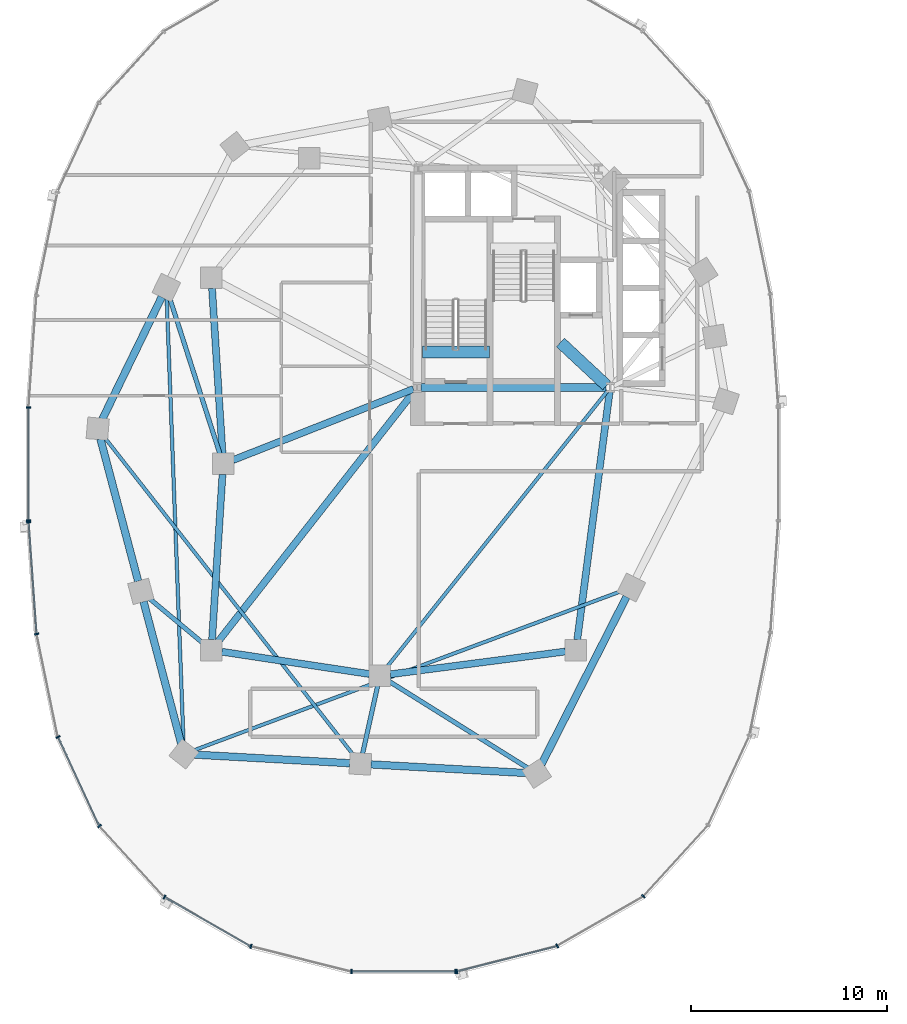
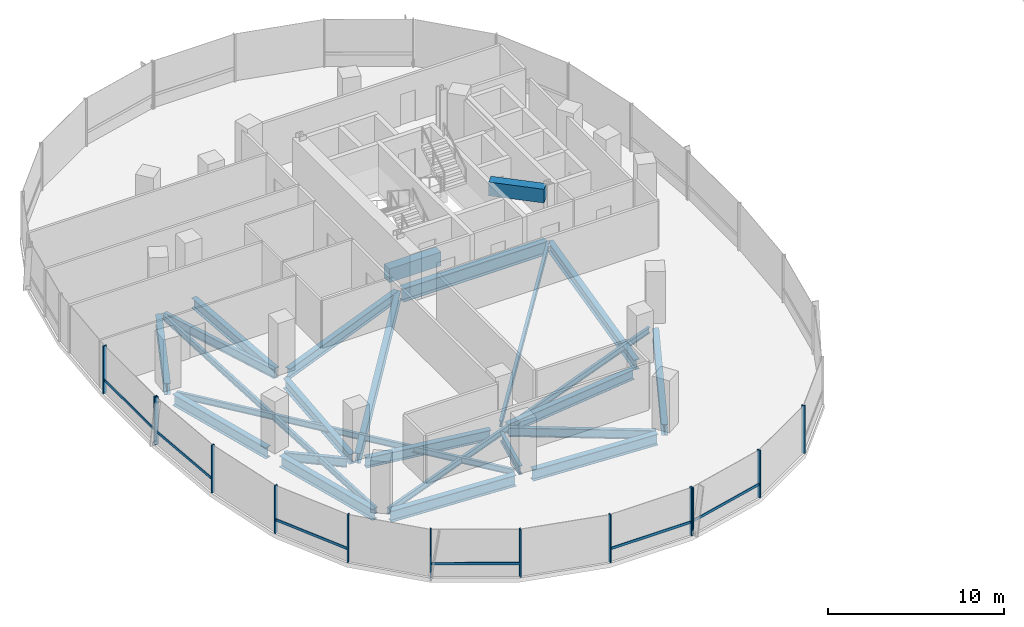
# One storey, part 2 of 21: 24 beams, 19 members, 3 elements without a shape of their own.
"""IFC4 building model written with IfcOpenShell, lengths in metres."""

from ifc_helpers import new_model, si_unit, direction, frame, origin, origin_2d, place, context, subcontext, project, spatial, rectangle, i_section, extrude, material, material_profile, profile_set, type_object, element, aggregate, save


model = new_model("IFC4")

# Units and contexts
model_context = context("Model", 3, precision=1e-05, world=origin(), true_north=direction((0.0, 1.0)))
body_context = subcontext(model_context, "Body", "Model", "MODEL_VIEW")
ifc_project = project(units=[si_unit("LENGTHUNIT", "METRE"), si_unit("AREAUNIT", "SQUARE_METRE"), si_unit("VOLUMEUNIT", "CUBIC_METRE"), si_unit("PLANEANGLEUNIT", "RADIAN"), si_unit("MASSUNIT", "GRAM", prefix="KILO"), si_unit("THERMODYNAMICTEMPERATUREUNIT", "KELVIN"), si_unit("POWERUNIT", "WATT")], contexts=[model_context])

# Site, building, storey
site_placement = place(None, origin())
site = spatial("IfcSite", under=ifc_project, at=site_placement, CompositionType="ELEMENT")
building_placement = place(site_placement, origin())
building = spatial("IfcBuilding", under=site, at=building_placement, Name="Cundina Bronze Exchange", CompositionType="ELEMENT")
storey_placement = place(building_placement, frame((0.0, 0.0, 89.0)))
storey = spatial("IfcBuildingStorey", under=building, at=storey_placement, Name="L22", CompositionType="ELEMENT", Elevation=89.0)

# Beams
ifc_material_1 = material(Name="Concrete C60/75", Category="concrete")
ifc_material_profile_1 = material_profile(ifc_material_1, rectangle(XDim=0.60009765625, YDim=0.949951171875, at=origin_2d()), Name="RC600X950", Category="concrete")
ifc_profile_set_1 = profile_set([ifc_material_profile_1], Name="Concrete C60/75")
beam_type_1 = type_object("IfcBeamType", Name="BM-COUP-RC950", PredefinedType="LINTEL", material=ifc_profile_set_1)
beam_1_placement = place(storey_placement, frame((-31.02001953125, 5.719970703125, -0.47509765625), z_axis=(1.0, 0.0, 0.0), x_axis=(0.0, 1.0, 0.0)))
element("IfcBeam", 1, at=beam_1_placement, inside=storey, type_object=beam_type_1, Name="L22 Stair W1 Landing Header Beam", PredefinedType="LINTEL", context=body_context, shape_type="SweptSolid", body=[
    extrude(rectangle(XDim=0.60009765625, YDim=0.949951171875, at=origin_2d()), origin(), (0.0, 0.0, 1.0), 3.39990234375),
])
beam_2_placement = place(storey_placement, frame((-23.989990234375, 6.199951171875, 2.824951171875), z_axis=(0.731490439815, -0.681851696822, 0.0), x_axis=(0.681851696822, 0.731490439815, 0.0)))
element("IfcBeam", 2, at=beam_2_placement, inside=storey, type_object=beam_type_1, Name="L22 W Core Shear Coupling Lintel Beam", PredefinedType="LINTEL", context=body_context, shape_type="SweptSolid", body=[
    extrude(rectangle(XDim=0.60009765625, YDim=0.949951171875, at=origin_2d()), origin(), (0.0, 0.0, 1.0), 3.226318359375),
])
ifc_material_2 = material(Name="Steel ASTM A992 Grade 50", Category="steel")
ifc_material_profile_2 = material_profile(ifc_material_2, i_section(OverallWidth=0.22998046875, OverallDepth=0.616943359375, WebThickness=0.01318359375, FlangeThickness=0.022216796875, FilletRadius=0.013916015625, at=origin_2d()), Name="W24X94", Category="steel")
ifc_profile_set_2 = profile_set([ifc_material_profile_2], Name="Steel ASTM A992 Grade 50")
beam_type_2 = type_object("IfcBeamType", Name="BM-FLR-W24B", PredefinedType="BEAM", material=ifc_profile_set_2)
beam_3_placement = place(storey_placement, frame((-41.364990234375, 0.51220703125, -0.6083984375), z_axis=(-0.306710777581, 0.951802762612, 0.0), x_axis=(-0.951802762612, -0.306710777581, 0.0)))
element("IfcBeam", 3, at=beam_3_placement, inside=storey, type_object=beam_type_2, Name="L22 Leg W Radial Floor Beam 07", PredefinedType="BEAM", context=body_context, shape_type="SweptSolid", body=[
    extrude(i_section(OverallWidth=0.22998046875, OverallDepth=0.616943359375, WebThickness=0.01318359375, FlangeThickness=0.022216796875, FilletRadius=0.013916015625, at=origin_2d()), origin(), (0.0, 0.0, 1.0), 8.37939453125),
])
beam_4_placement = place(storey_placement, frame((-42.21337890625, -9.155517578125, -0.6083984375), z_axis=(-0.768243451945, 0.640157791911, 0.0), x_axis=(-0.640157791911, -0.768243451945, 0.0)))
element("IfcBeam", 4, at=beam_4_placement, inside=storey, type_object=beam_type_2, Name="L22 Leg W Radial Floor Beam 09", PredefinedType="BEAM", context=body_context, shape_type="SweptSolid", body=[
    extrude(i_section(OverallWidth=0.22998046875, OverallDepth=0.616943359375, WebThickness=0.01318359375, FlangeThickness=0.022216796875, FilletRadius=0.013916015625, at=origin_2d()), origin(), (0.0, 0.0, 1.0), 3.610107421875),
])
beam_5_placement = place(storey_placement, frame((-33.316650390625, -11.3251953125, -0.6083984375), z_axis=(-0.216930457819, -0.976187060184, 0.0), x_axis=(0.976187060184, -0.216930457819, 0.0)))
element("IfcBeam", 5, at=beam_5_placement, inside=storey, type_object=beam_type_2, Name="L22 Leg W Radial Floor Beam 11", PredefinedType="BEAM", context=body_context, shape_type="SweptSolid", body=[
    extrude(i_section(OverallWidth=0.22998046875, OverallDepth=0.616943359375, WebThickness=0.01318359375, FlangeThickness=0.022216796875, FilletRadius=0.013916015625, at=origin_2d()), origin(), (0.0, 0.0, 1.0), 3.533935546875),
])
beam_6_placement = place(storey_placement, frame((-32.743896484375, -11.085205078125, -0.6083984375), z_axis=(0.848003227047, -0.529991063055, 0.0), x_axis=(0.529991063055, 0.848003227047, 0.0)))
element("IfcBeam", 6, at=beam_6_placement, inside=storey, type_object=beam_type_2, Name="L22 Leg W Radial Floor Beam 12", PredefinedType="BEAM", context=body_context, shape_type="SweptSolid", body=[
    extrude(i_section(OverallWidth=0.22998046875, OverallDepth=0.616943359375, WebThickness=0.01318359375, FlangeThickness=0.022216796875, FilletRadius=0.013916015625, at=origin_2d()), origin(), (0.0, 0.0, 1.0), 8.358154296875),
])
ifc_material_profile_3 = material_profile(ifc_material_2, i_section(OverallWidth=0.178955078125, OverallDepth=0.409912109375, WebThickness=0.0087890625, FlangeThickness=0.014404296875, FilletRadius=0.010986328125, at=origin_2d()), Name="W16X45", Category="steel")
ifc_profile_set_3 = profile_set([ifc_material_profile_3], Name="Steel ASTM A992 Grade 50")
beam_type_3 = type_object("IfcBeamType", Name="BM-JST-W16", PredefinedType="JOIST", material=ifc_profile_set_3)
beam_7_placement = place(storey_placement, frame((-21.577392578125, 3.740478515625, -0.5048828125), z_axis=(-0.62436887964, -0.781129632095, 0.0), x_axis=(0.781129632095, -0.62436887964, 0.0)))
element("IfcBeam", 7, at=beam_7_placement, inside=storey, type_object=beam_type_3, Name="L22 W Interior Core-to-Ring Joist 2", PredefinedType="JOIST", context=body_context, shape_type="SweptSolid", body=[
    extrude(i_section(OverallWidth=0.178955078125, OverallDepth=0.409912109375, WebThickness=0.0087890625, FlangeThickness=0.014404296875, FilletRadius=0.010986328125, at=origin_2d()), origin(), (0.0, 0.0, 1.0), 18.076904296875),
])
beam_8_placement = place(storey_placement, frame((-44.07958984375, 8.46240234375, -0.5048828125), z_axis=(0.03778951385, -0.999285721224, 0.0), x_axis=(0.999285721224, 0.03778951385, 0.0)))
element("IfcBeam", 8, at=beam_8_placement, inside=storey, type_object=beam_type_3, Name="L22 Leg W Lobe Floor Joist 07-10", PredefinedType="JOIST", context=body_context, shape_type="SweptSolid", body=[
    extrude(i_section(OverallWidth=0.178955078125, OverallDepth=0.409912109375, WebThickness=0.0087890625, FlangeThickness=0.014404296875, FilletRadius=0.010986328125, at=origin_2d()), origin(), (0.0, 0.0, 1.0), 22.7412109375),
])
beam_9_placement = place(storey_placement, frame((-47.268310546875, 1.37646484375, -0.5048828125), z_axis=(0.616815348306, -0.787107887201, 0.0), x_axis=(0.787107887201, 0.616815348306, 0.0)))
element("IfcBeam", 9, at=beam_9_placement, inside=storey, type_object=beam_type_3, Name="L22 Leg W Lobe Floor Joist 08-11", PredefinedType="JOIST", context=body_context, shape_type="SweptSolid", body=[
    extrude(i_section(OverallWidth=0.178955078125, OverallDepth=0.409912109375, WebThickness=0.0087890625, FlangeThickness=0.014404296875, FilletRadius=0.010986328125, at=origin_2d()), origin(), (0.0, 0.0, 1.0), 20.64892578125),
])
beam_10_placement = place(storey_placement, frame((-42.69580078125, -14.6123046875, -0.5048828125), z_axis=(0.937127917421, 0.348986054721, 0.0), x_axis=(-0.348986054721, 0.937127917421, 0.0)))
element("IfcBeam", 10, at=beam_10_placement, inside=storey, type_object=beam_type_3, Name="L22 Leg W Lobe Floor Joist 10-13", PredefinedType="JOIST", context=body_context, shape_type="SweptSolid", body=[
    extrude(i_section(OverallWidth=0.178955078125, OverallDepth=0.409912109375, WebThickness=0.0087890625, FlangeThickness=0.014404296875, FilletRadius=0.010986328125, at=origin_2d()), origin(), (0.0, 0.0, 1.0), 23.2802734375),
])
ifc_material_profile_4 = material_profile(ifc_material_2, i_section(OverallWidth=0.35498046875, OverallDepth=0.695068359375, WebThickness=0.015380859375, FlangeThickness=0.02490234375, FilletRadius=0.01806640625, at=origin_2d()), Name="W27X146", Category="steel")
ifc_profile_set_4 = profile_set([ifc_material_profile_4], Name="Steel ASTM A992 Grade 50")
beam_type_4 = type_object("IfcBeamType", Name="BM-RING-W27", PredefinedType="USERDEFINED", material=ifc_profile_set_4)
for number, where, z_axis, x_axis, name in (
    (11, (-41.76611328125, 8.963134765625, -0.6474609375), (0.06303715519, -0.998011180832, 0.0), (0.998011180832, 0.06303715519, 0.0), "L22 W Inner Structural Ring Girder 03"),
    (12, (-41.23388671875, -0.536865234375, -0.6474609375), (-0.06303715519, -0.998011180832, 0.0), (0.998011180832, -0.06303715519, 0.0), "L22 W Inner Structural Ring Girder 04"),
):
    element("IfcBeam", number, at=place(storey_placement, frame(where, z_axis=z_axis, x_axis=x_axis)), inside=storey, type_object=beam_type_4, Name=name, ObjectType="GIRDER", PredefinedType="USERDEFINED", context=body_context, shape_type="SweptSolid", body=[
        extrude(i_section(OverallWidth=0.35498046875, OverallDepth=0.695068359375, WebThickness=0.015380859375, FlangeThickness=0.02490234375, FilletRadius=0.01806640625, at=origin_2d()), origin(), (0.0, 0.0, 1.0), 8.443115234375),
    ])
beam_11_placement = place(storey_placement, frame((-41.26806640625, -9.580322265625, -0.6474609375), z_axis=(0.988767489563, -0.149461873341, 0.0), x_axis=(0.149461873341, 0.988767489563, 0.0)))
element("IfcBeam", 13, at=beam_11_placement, inside=storey, type_object=beam_type_4, Name="L22 W Inner Structural Ring Girder 05", ObjectType="GIRDER", PredefinedType="USERDEFINED", context=body_context, shape_type="SweptSolid", body=[
    extrude(i_section(OverallWidth=0.35498046875, OverallDepth=0.695068359375, WebThickness=0.015380859375, FlangeThickness=0.02490234375, FilletRadius=0.01806640625, at=origin_2d()), origin(), (0.0, 0.0, 1.0), 7.621826171875),
])
beam_12_placement = place(storey_placement, frame((-32.66650390625, -10.730712890625, -0.6474609375), z_axis=(0.991654577907, 0.128923225666, 0.0), x_axis=(-0.128923225666, 0.991654577907, 0.0)))
element("IfcBeam", 14, at=beam_12_placement, inside=storey, type_object=beam_type_4, Name="L22 W Inner Structural Ring Girder 06", ObjectType="GIRDER", PredefinedType="USERDEFINED", context=body_context, shape_type="SweptSolid", body=[
    extrude(i_section(OverallWidth=0.35498046875, OverallDepth=0.695068359375, WebThickness=0.015380859375, FlangeThickness=0.02490234375, FilletRadius=0.01806640625, at=origin_2d()), origin(), (0.0, 0.0, 1.0), 9.00830078125),
])
beam_13_placement = place(storey_placement, frame((-23.13037109375, -8.966552734375, -0.6474609375), z_axis=(0.129507526533, 0.99157843894, 0.0), x_axis=(-0.99157843894, 0.129507526533, 0.0)))
element("IfcBeam", 15, at=beam_13_placement, inside=storey, type_object=beam_type_4, Name="L22 W Inner Structural Ring Girder 07", ObjectType="GIRDER", PredefinedType="USERDEFINED", context=body_context, shape_type="SweptSolid", body=[
    extrude(i_section(OverallWidth=0.35498046875, OverallDepth=0.695068359375, WebThickness=0.015380859375, FlangeThickness=0.02490234375, FilletRadius=0.01806640625, at=origin_2d()), origin(), (0.0, 0.0, 1.0), 12.77197265625),
])
beam_14_placement = place(storey_placement, frame((-31.48974609375, 3.8251953125, -0.6474609375), z_axis=(-0.930413235418, -0.366512225388, 0.0), x_axis=(0.366512225388, -0.930413235418, 0.0)))
element("IfcBeam", 16, at=beam_14_placement, inside=storey, type_object=beam_type_4, Name="L22 W Core-to-Waist Tie Beam 1", ObjectType="GIRDER", PredefinedType="USERDEFINED", context=body_context, shape_type="SweptSolid", body=[
    extrude(i_section(OverallWidth=0.35498046875, OverallDepth=0.695068359375, WebThickness=0.015380859375, FlangeThickness=0.02490234375, FilletRadius=0.01806640625, at=origin_2d()), origin(), (0.0, 0.0, 1.0), 9.8984375),
])
beam_15_placement = place(storey_placement, frame((-31.42578125, 3.739501953125, -0.6474609375), z_axis=(-0.616789275748, -0.787128318206, 0.0), x_axis=(0.787128318206, -0.616789275748, 0.0)))
element("IfcBeam", 17, at=beam_15_placement, inside=storey, type_object=beam_type_4, Name="L22 W Core-to-Waist Tie Beam 3", ObjectType="GIRDER", PredefinedType="USERDEFINED", context=body_context, shape_type="SweptSolid", body=[
    extrude(i_section(OverallWidth=0.35498046875, OverallDepth=0.695068359375, WebThickness=0.015380859375, FlangeThickness=0.02490234375, FilletRadius=0.01806640625, at=origin_2d()), origin(), (0.0, 0.0, 1.0), 16.281982421875),
])
ifc_material_profile_5 = material_profile(ifc_material_2, i_section(OverallWidth=0.381103515625, OverallDepth=0.77294921875, WebThickness=0.0166015625, FlangeThickness=0.027099609375, FilletRadius=0.01904296875, at=origin_2d()), Name="W30X173", Category="steel")
ifc_profile_set_5 = profile_set([ifc_material_profile_5], Name="Steel ASTM A992 Grade 50")
beam_type_5 = type_object("IfcBeamType", Name="BM-RING-W30", PredefinedType="USERDEFINED", material=ifc_profile_set_5)
beam_16_placement = place(storey_placement, frame((-44.335205078125, 8.51611328125, -0.6865234375), z_axis=(-0.437193894283, -0.899367276924, 0.0), x_axis=(0.899367276924, -0.437193894283, 0.0)))
element("IfcBeam", 18, at=beam_16_placement, inside=storey, type_object=beam_type_5, Name="L22 W Perimeter Ring Girder 07", ObjectType="GIRDER", PredefinedType="USERDEFINED", context=body_context, shape_type="SweptSolid", body=[
    extrude(i_section(OverallWidth=0.381103515625, OverallDepth=0.77294921875, WebThickness=0.0166015625, FlangeThickness=0.027099609375, FilletRadius=0.01904296875, at=origin_2d()), origin(), (0.0, 0.0, 1.0), 6.929443359375),
])
for number, where, z_axis, x_axis, name in (
    (19, (-47.462158203125, 1.280029296875, -0.6865234375), (0.256209719931, -0.966621218168, 0.0), (0.966621218168, 0.256209719931, 0.0), "L22 W Perimeter Ring Girder 08"),
    (20, (-45.26220703125, -7.02001953125, -0.6865234375), (0.256209719931, -0.966621218168, 0.0), (0.966621218168, 0.256209719931, 0.0), "L22 W Perimeter Ring Girder 09"),
):
    element("IfcBeam", number, at=place(storey_placement, frame(where, z_axis=z_axis, x_axis=x_axis)), inside=storey, type_object=beam_type_5, Name=name, ObjectType="GIRDER", PredefinedType="USERDEFINED", context=body_context, shape_type="SweptSolid", body=[
        extrude(i_section(OverallWidth=0.381103515625, OverallDepth=0.77294921875, WebThickness=0.0166015625, FlangeThickness=0.027099609375, FilletRadius=0.01904296875, at=origin_2d()), origin(), (0.0, 0.0, 1.0), 7.5107421875),
    ])
for number, where, z_axis, x_axis, name in (
    (21, (-42.662841796875, -14.829833984375, -0.6865234375), (0.99845950136, -0.055485350721, 0.0), (0.055485350721, 0.99845950136, 0.0), "L22 W Perimeter Ring Girder 10"),
    (22, (-33.662841796875, -15.329833984375, -0.6865234375), (0.99845950136, -0.055485350721, 0.0), (0.055485350721, 0.99845950136, 0.0), "L22 W Perimeter Ring Girder 11"),
):
    element("IfcBeam", number, at=place(storey_placement, frame(where, z_axis=z_axis, x_axis=x_axis)), inside=storey, type_object=beam_type_5, Name=name, ObjectType="GIRDER", PredefinedType="USERDEFINED", context=body_context, shape_type="SweptSolid", body=[
        extrude(i_section(OverallWidth=0.381103515625, OverallDepth=0.77294921875, WebThickness=0.0166015625, FlangeThickness=0.027099609375, FilletRadius=0.01904296875, at=origin_2d()), origin(), (0.0, 0.0, 1.0), 7.937744140625),
    ])
beam_17_placement = place(storey_placement, frame((-24.956298828125, -15.3203125, -0.6865234375), z_axis=(0.452832332744, 0.891595692241, 0.0), x_axis=(-0.891595692241, 0.452832332744, 0.0)))
element("IfcBeam", 23, at=beam_17_placement, inside=storey, type_object=beam_type_5, Name="L22 W Perimeter Ring Girder 12", ObjectType="GIRDER", PredefinedType="USERDEFINED", context=body_context, shape_type="SweptSolid", body=[
    extrude(i_section(OverallWidth=0.381103515625, OverallDepth=0.77294921875, WebThickness=0.0166015625, FlangeThickness=0.027099609375, FilletRadius=0.01904296875, at=origin_2d()), origin(), (0.0, 0.0, 1.0), 9.578857421875),
])
ifc_material_profile_6 = material_profile(ifc_material_2, i_section(OverallWidth=0.41796875, OverallDepth=0.927001953125, WebThickness=0.019287109375, FlangeThickness=0.031982421875, FilletRadius=0.02392578125, at=origin_2d()), Name="W36X231", Category="steel")
ifc_profile_set_6 = profile_set([ifc_material_profile_6], Name="Steel ASTM A992 Grade 50")
beam_type_6 = type_object("IfcBeamType", Name="BM-WRN-W36B", PredefinedType="USERDEFINED", material=ifc_profile_set_6)
beam_18_placement = place(storey_placement, frame((-31.095947265625, 3.89990234375, -0.763427734375), z_axis=(1.0, 0.0, 0.0), x_axis=(0.0, 1.0, 0.0)))
element("IfcBeam", 24, at=beam_18_placement, inside=storey, type_object=beam_type_6, Name="L22 W Core Perimeter Tie Girder 1", ObjectType="GIRDER", PredefinedType="USERDEFINED", context=body_context, shape_type="SweptSolid", body=[
    extrude(i_section(OverallWidth=0.41796875, OverallDepth=0.927001953125, WebThickness=0.019287109375, FlangeThickness=0.031982421875, FilletRadius=0.02392578125, at=origin_2d()), origin(), (0.0, 0.0, 1.0), 9.44189453125),
])

# Curtain wall, members
ifc_material_3 = material(Name="Anodised Bronze Aluminium 6063-T6", Category="aluminium")
curtain_wall_type = type_object("IfcCurtainWallType", Name="CWS-TRD-MID", PredefinedType="NOTDEFINED", material=ifc_material_3)
curtain_wall_1_placement = place(storey_placement, origin())
curtain_wall_1 = element("IfcCurtainWall", 25, at=curtain_wall_1_placement, inside=storey, type_object=curtain_wall_type, Name="L22 CW-03 Curtain Wall Run CWR-L22-W2", PredefinedType="NOTDEFINED")
ifc_material_profile_7 = material_profile(ifc_material_3, rectangle(XDim=0.074951171875, YDim=0.219970703125, at=origin_2d()), Name="AL75X220", Category="aluminium")
ifc_profile_set_7 = profile_set([ifc_material_profile_7], Name="Anodised Bronze Aluminium 6063-T6")
member_type_1 = type_object("IfcMemberType", Name="CWM-MUL-220", PredefinedType="MULLION", material=ifc_profile_set_7)
member_1_placement = place(storey_placement, frame((-51.1279296875, 2.880615234375, 0.0), z_axis=(0.0, 0.0, 1.0), x_axis=(0.0, -1.0, 0.0)))
member_1 = element("IfcMember", 26, at=member_1_placement, type_object=member_type_1, Name="CW-03 Mullion 7", PredefinedType="MULLION", context=body_context, shape_type="SweptSolid", body=[
    extrude(rectangle(XDim=0.074951171875, YDim=0.219970703125, at=origin_2d()), origin(), (0.0, 0.0, 1.0), 3.300048828125),
])
member_2_placement = place(storey_placement, frame((-51.1279296875, -2.880615234375, 0.0), z_axis=(0.0, 0.0, 1.0), x_axis=(0.0, -1.0, 0.0)))
member_2 = element("IfcMember", 27, at=member_2_placement, type_object=member_type_1, Name="CW-03 End Mullion", PredefinedType="MULLION", context=body_context, shape_type="SweptSolid", body=[
    extrude(rectangle(XDim=0.074951171875, YDim=0.219970703125, at=origin_2d()), origin(), (0.0, 0.0, 1.0), 3.300048828125),
])

curtain_wall_2_placement = place(storey_placement, origin())
curtain_wall_2 = element("IfcCurtainWall", 28, at=curtain_wall_2_placement, inside=storey, type_object=curtain_wall_type, Name="L22 CW-03 Curtain Wall Run CWR-L22-W3", PredefinedType="NOTDEFINED")
member_3_placement = place(storey_placement, frame((-51.12451171875, -2.976318359375, 0.0), z_axis=(0.0, 0.0, 1.0), x_axis=(0.070278787473, -0.997527389113, 0.0)))
member_3 = element("IfcMember", 29, at=member_3_placement, type_object=member_type_1, Name="CW-03 Mullion 1", PredefinedType="MULLION", context=body_context, shape_type="SweptSolid", body=[
    extrude(rectangle(XDim=0.074951171875, YDim=0.219970703125, at=origin_2d()), origin(), (0.0, 0.0, 1.0), 3.300048828125),
])
member_4_placement = place(storey_placement, frame((-50.717041015625, -8.67822265625, 0.0), z_axis=(0.0, 0.0, 1.0), x_axis=(0.201419845156, -0.979505000486, 0.0)))
member_4 = element("IfcMember", 30, at=member_4_placement, type_object=member_type_1, Name="CW-03 Mullion 2", PredefinedType="MULLION", context=body_context, shape_type="SweptSolid", body=[
    extrude(rectangle(XDim=0.074951171875, YDim=0.219970703125, at=origin_2d()), origin(), (0.0, 0.0, 1.0), 3.300048828125),
])
member_5_placement = place(storey_placement, frame((-49.6279296875, -13.931884765625, 0.0), z_axis=(0.0, 0.0, 1.0), x_axis=(0.42087749791, -0.907117485088, 0.0)))
member_5 = element("IfcMember", 31, at=member_5_placement, type_object=member_type_1, Name="CW-03 Mullion 3", PredefinedType="MULLION", context=body_context, shape_type="SweptSolid", body=[
    extrude(rectangle(XDim=0.074951171875, YDim=0.219970703125, at=origin_2d()), origin(), (0.0, 0.0, 1.0), 3.300048828125),
])
member_6_placement = place(storey_placement, frame((-47.508544921875, -18.47705078125, 0.0), z_axis=(0.0, 0.0, 1.0), x_axis=(0.674302387584, -0.738455340626, 0.0)))
member_6 = element("IfcMember", 32, at=member_6_placement, type_object=member_type_1, Name="CW-03 Mullion 4", PredefinedType="MULLION", context=body_context, shape_type="SweptSolid", body=[
    extrude(rectangle(XDim=0.074951171875, YDim=0.219970703125, at=origin_2d()), origin(), (0.0, 0.0, 1.0), 3.300048828125),
])
member_7_placement = place(storey_placement, frame((-44.189697265625, -22.097412109375, 0.0), z_axis=(0.0, 0.0, 1.0), x_axis=(0.867070701164, -0.498185105339, 0.0)))
member_7 = element("IfcMember", 33, at=member_7_placement, type_object=member_type_1, Name="CW-03 Mullion 5", PredefinedType="MULLION", context=body_context, shape_type="SweptSolid", body=[
    extrude(rectangle(XDim=0.074951171875, YDim=0.219970703125, at=origin_2d()), origin(), (0.0, 0.0, 1.0), 3.300048828125),
])
member_8_placement = place(storey_placement, frame((-39.78515625, -24.61669921875, 0.0), z_axis=(0.0, 0.0, 1.0), x_axis=(0.969488149345, -0.245138182011, 0.0)))
member_8 = element("IfcMember", 34, at=member_8_placement, type_object=member_type_1, Name="CW-03 Mullion 6", PredefinedType="MULLION", context=body_context, shape_type="SweptSolid", body=[
    extrude(rectangle(XDim=0.074951171875, YDim=0.219970703125, at=origin_2d()), origin(), (0.0, 0.0, 1.0), 3.300048828125),
])
member_9_placement = place(storey_placement, frame((-34.654541015625, -25.905029296875, 0.0), z_axis=(0.0, 0.0, 1.0), x_axis=(1.0, 0.0, 0.0)))
member_9 = element("IfcMember", 35, at=member_9_placement, type_object=member_type_1, Name="CW-03 Mullion 7", PredefinedType="MULLION", context=body_context, shape_type="SweptSolid", body=[
    extrude(rectangle(XDim=0.074951171875, YDim=0.219970703125, at=origin_2d()), origin(), (0.0, 0.0, 1.0), 3.300048828125),
])
member_10_placement = place(storey_placement, frame((-29.345458984375, -25.905029296875, 0.0), z_axis=(0.0, 0.0, 1.0), x_axis=(1.0, 0.0, 0.0)))
member_10 = element("IfcMember", 36, at=member_10_placement, type_object=member_type_1, Name="CW-03 End Mullion", PredefinedType="MULLION", context=body_context, shape_type="SweptSolid", body=[
    extrude(rectangle(XDim=0.074951171875, YDim=0.219970703125, at=origin_2d()), origin(), (0.0, 0.0, 1.0), 3.300048828125),
])

curtain_wall_3_placement = place(storey_placement, origin())
curtain_wall_3 = element("IfcCurtainWall", 37, at=curtain_wall_3_placement, inside=storey, type_object=curtain_wall_type, Name="L22 CW-03 Curtain Wall Run CWR-L22-W4", PredefinedType="NOTDEFINED")
member_11_placement = place(storey_placement, frame((-29.27392578125, -25.89599609375, 0.0), z_axis=(0.0, 0.0, 1.0), x_axis=(0.969488149345, 0.245138182011, 0.0)))
member_11 = element("IfcMember", 38, at=member_11_placement, type_object=member_type_1, Name="CW-03 Mullion 1", PredefinedType="MULLION", context=body_context, shape_type="SweptSolid", body=[
    extrude(rectangle(XDim=0.074951171875, YDim=0.219970703125, at=origin_2d()), origin(), (0.0, 0.0, 1.0), 3.300048828125),
])
member_12_placement = place(storey_placement, frame((-24.151123046875, -24.591064453125, 0.0), z_axis=(0.0, 0.0, 1.0), x_axis=(0.867070701164, 0.498185105339, 0.0)))
member_12 = element("IfcMember", 39, at=member_12_placement, type_object=member_type_1, Name="CW-03 Mullion 2", PredefinedType="MULLION", context=body_context, shape_type="SweptSolid", body=[
    extrude(rectangle(XDim=0.074951171875, YDim=0.219970703125, at=origin_2d()), origin(), (0.0, 0.0, 1.0), 3.300048828125),
])
member_13_placement = place(storey_placement, frame((-19.760498046875, -22.0576171875, 0.0), z_axis=(0.0, 0.0, 1.0), x_axis=(0.674302387584, 0.738455340626, 0.0)))
member_13 = element("IfcMember", 40, at=member_13_placement, type_object=member_type_1, Name="CW-03 Mullion 3", PredefinedType="MULLION", context=body_context, shape_type="SweptSolid", body=[
    extrude(rectangle(XDim=0.074951171875, YDim=0.219970703125, at=origin_2d()), origin(), (0.0, 0.0, 1.0), 3.300048828125),
])

# Member
ifc_material_profile_8 = material_profile(ifc_material_3, rectangle(XDim=0.070068359375, YDim=0.179931640625, at=origin_2d()), Name="AL70X180", Category="aluminium")
ifc_profile_set_8 = profile_set([ifc_material_profile_8], Name="Anodised Bronze Aluminium 6063-T6")
member_type_2 = type_object("IfcMemberType", Name="CWM-TRN-180", PredefinedType="USERDEFINED", material=ifc_profile_set_8)
member_14_placement = place(storey_placement, frame((-51.1279296875, 2.839111328125, 0.919921875), z_axis=(0.0, -1.0, 0.0), x_axis=(1.0, 0.0, 0.0)))
member_14 = element("IfcMember", 41, at=member_14_placement, type_object=member_type_2, Name="CW-03 Spandrel Transom 7", ObjectType="TRANSOM", PredefinedType="USERDEFINED", context=body_context, shape_type="SweptSolid", body=[
    extrude(rectangle(XDim=0.070068359375, YDim=0.179931640625, at=origin_2d()), origin(), (0.0, 0.0, 1.0), 5.67822265625),
])

aggregate(curtain_wall_1, [member_1, member_2, member_14])

member_15_placement = place(storey_placement, frame((-51.12158203125, -3.017333984375, 0.919921875), z_axis=(0.070260714471, -0.997528662246, 0.0), x_axis=(0.997528662246, 0.070260714471, 0.0)))
member_15 = element("IfcMember", 42, at=member_15_placement, type_object=member_type_2, Name="CW-03 Spandrel Transom 1", ObjectType="TRANSOM", PredefinedType="USERDEFINED", context=body_context, shape_type="SweptSolid", body=[
    extrude(rectangle(XDim=0.070068359375, YDim=0.179931640625, at=origin_2d()), origin(), (0.0, 0.0, 1.0), 5.629150390625),
])

member_16_placement = place(storey_placement, frame((-49.610595703125, -13.96923828125, 0.919921875), z_axis=(0.420811422796, -0.907148139195, 0.0), x_axis=(0.907148139195, 0.420811422796, 0.0)))
member_16 = element("IfcMember", 43, at=member_16_placement, type_object=member_type_2, Name="CW-03 Spandrel Transom 3", ObjectType="TRANSOM", PredefinedType="USERDEFINED", context=body_context, shape_type="SweptSolid", body=[
    extrude(rectangle(XDim=0.070068359375, YDim=0.179931640625, at=origin_2d()), origin(), (0.0, 0.0, 1.0), 4.95166015625),
])

member_17_placement = place(storey_placement, frame((-44.154052734375, -22.117919921875, 0.919921875), z_axis=(0.867097475651, -0.498138502546, 0.0), x_axis=(0.498138502546, 0.867097475651, 0.0)))
member_17 = element("IfcMember", 44, at=member_17_placement, type_object=member_type_2, Name="CW-03 Spandrel Transom 5", ObjectType="TRANSOM", PredefinedType="USERDEFINED", context=body_context, shape_type="SweptSolid", body=[
    extrude(rectangle(XDim=0.070068359375, YDim=0.179931640625, at=origin_2d()), origin(), (0.0, 0.0, 1.0), 5.00634765625),
])

member_18_placement = place(storey_placement, frame((-34.61328125, -25.905029296875, 0.919921875), z_axis=(1.0, 0.0, 0.0), x_axis=(0.0, 1.0, 0.0)))
member_18 = element("IfcMember", 45, at=member_18_placement, type_object=member_type_2, Name="CW-03 Spandrel Transom 7", ObjectType="TRANSOM", PredefinedType="USERDEFINED", context=body_context, shape_type="SweptSolid", body=[
    extrude(rectangle(XDim=0.070068359375, YDim=0.179931640625, at=origin_2d()), origin(), (0.0, 0.0, 1.0), 5.2265625),
])

aggregate(curtain_wall_2, [member_3, member_15, member_4, member_5, member_16, member_6, member_7, member_17, member_8, member_9, member_10, member_18])

member_19_placement = place(storey_placement, frame((-29.23388671875, -25.885986328125, 0.919921875), z_axis=(0.969483968866, 0.245154714644, 0.0), x_axis=(-0.245154714644, 0.969483968866, 0.0)))
member_19 = element("IfcMember", 46, at=member_19_placement, type_object=member_type_2, Name="CW-03 Spandrel Transom 1", ObjectType="TRANSOM", PredefinedType="USERDEFINED", context=body_context, shape_type="SweptSolid", body=[
    extrude(rectangle(XDim=0.070068359375, YDim=0.179931640625, at=origin_2d()), origin(), (0.0, 0.0, 1.0), 5.21826171875),
])

aggregate(curtain_wall_3, [member_11, member_19, member_12, member_13])

save(model, "model.ifc")
